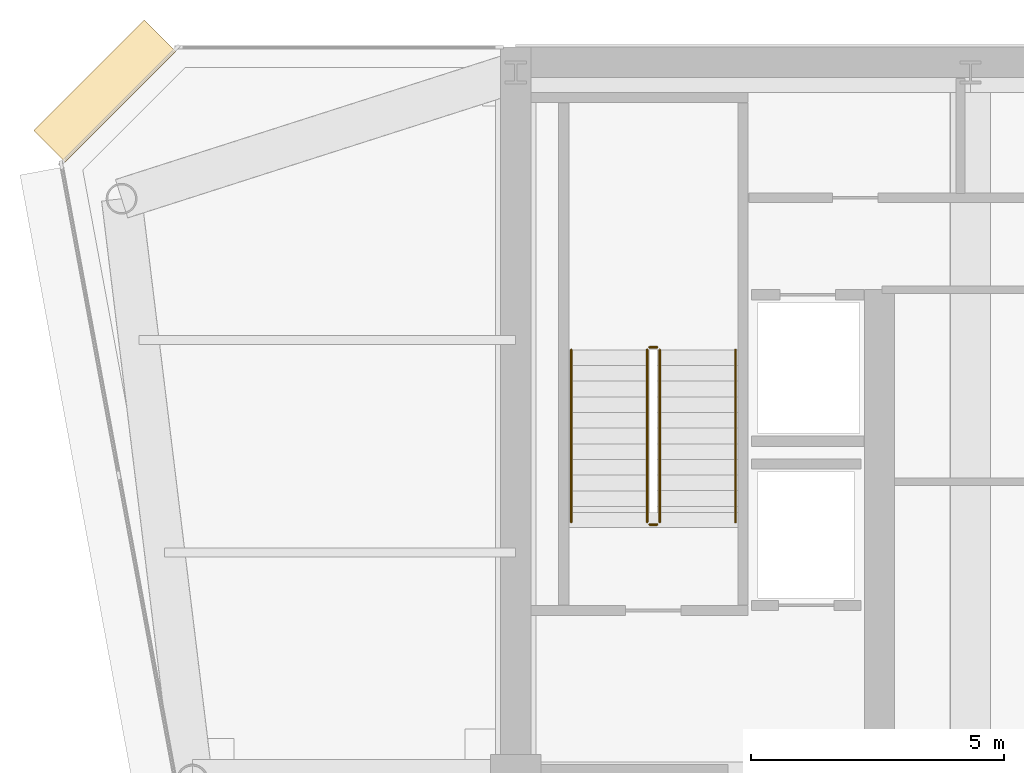
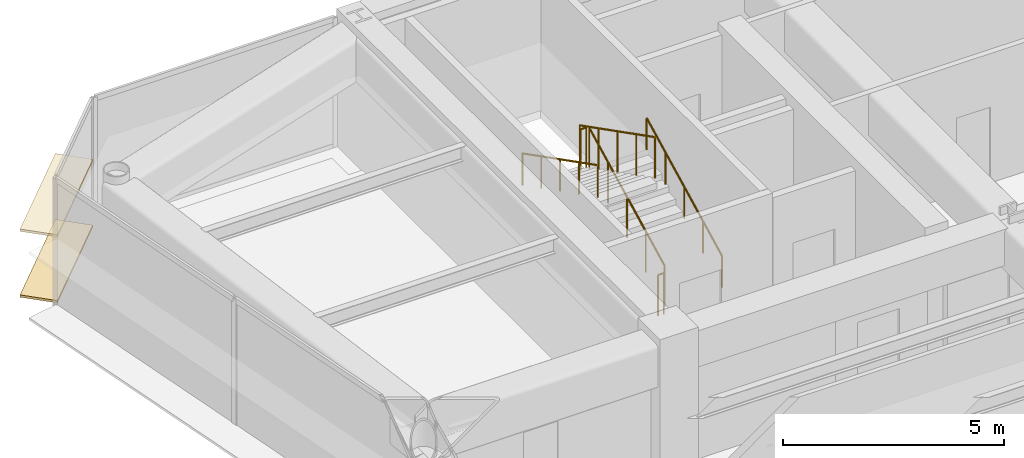
# One storey, part 15 of 17: 6 railings, 2 coverings.
"""IFC4 building model written with IfcOpenShell, lengths in metres."""

from ifc_helpers import new_model, si_unit, direction, frame, origin, origin_2d, place, context, subcontext, project, spatial, rectangle, circle, extrude, source, transform, mapped, material, layer, layer_set, type_object, element, save


model = new_model("IFC4")

# Units and contexts
model_context = context("Model", 3, precision=1e-05, world=origin(), true_north=direction((0.0, 1.0)))
body_context = subcontext(model_context, "Body", "Model", "MODEL_VIEW")
ifc_project = project(units=[si_unit("LENGTHUNIT", "METRE"), si_unit("AREAUNIT", "SQUARE_METRE"), si_unit("VOLUMEUNIT", "CUBIC_METRE"), si_unit("PLANEANGLEUNIT", "RADIAN"), si_unit("MASSUNIT", "GRAM", prefix="KILO")], contexts=[model_context])

# Site, building, storey
site_placement = place(None, origin())
site = spatial("IfcSite", under=ifc_project, at=site_placement, CompositionType="ELEMENT")
building_placement = place(site_placement, origin())
building = spatial("IfcBuilding", under=site, at=building_placement, Name="Vaeldorn Concourse Tower", CompositionType="ELEMENT")
storey_placement = place(building_placement, frame((0.0, 0.0, 234.60009765625)))
storey = spatial("IfcBuildingStorey", under=building, at=storey_placement, Name="L60", CompositionType="ELEMENT", Elevation=234.60009765625)

# Railings
ifc_material = material(Name="Anodised Bronze Aluminium", Category="aluminium")
railing_type_1 = type_object("IfcRailingType", Name="RL-STAIR-GUARD", PredefinedType="GUARDRAIL", material=ifc_material)
railing_1_placement = place(storey_placement, frame((16.85009765625, 41.60009765625, 0.158203125)))
element("IfcRailing", 1, at=railing_1_placement, inside=storey, type_object=railing_type_1, Name="L60 ST-1 stair guard 1", PredefinedType="GUARDRAIL", context=body_context, shape_type="SweptSolid", body=[
    extrude(circle(Radius=0.02392578125, at=origin_2d()), frame((0.0, 0.0, 1.1259765625), z_axis=(0.0, 0.890555807335, 0.454873997962), x_axis=(-1.0, 0.0, 0.0)), (0.0, 0.0, 1.0), 3.828857421875),
    extrude(circle(Radius=0.02099609375, at=origin_2d()), origin(), (0.0, 0.0, 1.0), 1.101806640625),
    extrude(circle(Radius=0.02099609375, at=origin_2d()), frame((0.0, 0.8525390625, 0.435546875)), (0.0, 0.0, 1.0), 1.101806640625),
    extrude(circle(Radius=0.02099609375, at=origin_2d()), frame((0.0, 1.705078125, 0.870849609375)), (0.0, 0.0, 1.0), 1.101806640625),
    extrude(circle(Radius=0.02099609375, at=origin_2d()), frame((0.0, 2.557373046875, 1.30615234375)), (0.0, 0.0, 1.0), 1.101806640625),
    extrude(circle(Radius=0.02099609375, at=origin_2d()), frame((0.0, 3.409912109375, 1.74169921875)), (0.0, 0.0, 1.0), 1.101806640625),
])
railing_2_placement = place(storey_placement, frame((16.800048828125, 45.06005859375, 1.89990234375)))
element("IfcRailing", 2, at=railing_2_placement, inside=storey, type_object=railing_type_1, Name="L60 ST-1 stair guard 2", PredefinedType="GUARDRAIL", context=body_context, shape_type="SweptSolid", body=[
    extrude(circle(Radius=0.02392578125, at=origin_2d()), frame((0.0, 0.0, 1.1259765625), z_axis=(-1.0, 0.0, 0.0), x_axis=(0.0, -1.0, 0.0)), (0.0, 0.0, 1.0), 0.150146484375),
    extrude(circle(Radius=0.02099609375, at=origin_2d()), origin(), (0.0, 0.0, 1.0), 1.101806640625),
    extrude(circle(Radius=0.02099609375, at=origin_2d()), frame((-0.150146484375, 0.0, 0.0)), (0.0, 0.0, 1.0), 1.101806640625),
])
railing_3_placement = place(storey_placement, frame((16.60009765625, 45.010009765625, 2.058349609375)))
element("IfcRailing", 3, at=railing_3_placement, inside=storey, type_object=railing_type_1, Name="L60 ST-1 stair guard 3", PredefinedType="GUARDRAIL", context=body_context, shape_type="SweptSolid", body=[
    extrude(circle(Radius=0.02392578125, at=origin_2d()), frame((0.0, 0.0, 1.1259765625), z_axis=(0.0, -0.890581635807, 0.454823427236), x_axis=(1.0, 0.0, 0.0)), (0.0, 0.0, 1.0), 3.828857421875),
    extrude(circle(Radius=0.02099609375, at=origin_2d()), origin(), (0.0, 0.0, 1.0), 1.101806640625),
    extrude(circle(Radius=0.02099609375, at=origin_2d()), frame((0.0, -0.8525390625, 0.435302734375)), (0.0, 0.0, 1.0), 1.101806640625),
    extrude(circle(Radius=0.02099609375, at=origin_2d()), frame((0.0, -1.705078125, 0.87060546875)), (0.0, 0.0, 1.0), 1.101806640625),
    extrude(circle(Radius=0.02099609375, at=origin_2d()), frame((0.0, -2.557373046875, 1.30615234375)), (0.0, 0.0, 1.0), 1.101806640625),
    extrude(circle(Radius=0.02099609375, at=origin_2d()), frame((0.0, -3.409912109375, 1.741455078125)), (0.0, 0.0, 1.0), 1.101806640625),
])
railing_4_placement = place(storey_placement, frame((16.800048828125, 41.550048828125, 0.0)))
element("IfcRailing", 4, at=railing_4_placement, inside=storey, type_object=railing_type_1, Name="L60 ST-1 stair guard 4", PredefinedType="GUARDRAIL", context=body_context, shape_type="SweptSolid", body=[
    extrude(circle(Radius=0.02392578125, at=origin_2d()), frame((0.0, 0.0, 1.1259765625), z_axis=(-1.0, 0.0, 0.0), x_axis=(0.0, -1.0, 0.0)), (0.0, 0.0, 1.0), 0.150146484375),
    extrude(circle(Radius=0.02099609375, at=origin_2d()), origin(), (0.0, 0.0, 1.0), 1.101806640625),
    extrude(circle(Radius=0.02099609375, at=origin_2d()), frame((-0.150146484375, 0.0, 0.0)), (0.0, 0.0, 1.0), 1.101806640625),
])
railing_type_2 = type_object("IfcRailingType", Name="RL-STAIR-HANDRAIL", PredefinedType="HANDRAIL", material=ifc_material)
railing_5_placement = place(storey_placement, frame((18.35009765625, 41.60009765625, 0.158203125)))
element("IfcRailing", 5, at=railing_5_placement, inside=storey, type_object=railing_type_2, Name="L60 ST-1 stair handrail 1", PredefinedType="HANDRAIL", context=body_context, shape_type="SweptSolid", body=[
    extrude(circle(Radius=0.02392578125, at=origin_2d()), frame((0.0, 0.0, 0.8759765625), z_axis=(0.0, 0.890555807335, 0.454873997962), x_axis=(-1.0, 0.0, 0.0)), (0.0, 0.0, 1.0), 3.828857421875),
    extrude(circle(Radius=0.02099609375, at=origin_2d()), origin(), (0.0, 0.0, 1.0), 0.851806640625),
    extrude(circle(Radius=0.02099609375, at=origin_2d()), frame((0.0, 0.8525390625, 0.435546875)), (0.0, 0.0, 1.0), 0.851806640625),
    extrude(circle(Radius=0.02099609375, at=origin_2d()), frame((0.0, 1.705078125, 0.870849609375)), (0.0, 0.0, 1.0), 0.851806640625),
    extrude(circle(Radius=0.02099609375, at=origin_2d()), frame((0.0, 2.557373046875, 1.30615234375)), (0.0, 0.0, 1.0), 0.851806640625),
    extrude(circle(Radius=0.02099609375, at=origin_2d()), frame((0.0, 3.409912109375, 1.74169921875)), (0.0, 0.0, 1.0), 0.851806640625),
])
railing_6_placement = place(storey_placement, frame((15.10009765625, 45.010009765625, 2.058349609375)))
element("IfcRailing", 6, at=railing_6_placement, inside=storey, type_object=railing_type_2, Name="L60 ST-1 stair handrail 2", PredefinedType="HANDRAIL", context=body_context, shape_type="SweptSolid", body=[
    extrude(circle(Radius=0.02392578125, at=origin_2d()), frame((0.0, 0.0, 0.8759765625), z_axis=(0.0, -0.890581635807, 0.454823427236), x_axis=(1.0, 0.0, 0.0)), (0.0, 0.0, 1.0), 3.828857421875),
    extrude(circle(Radius=0.02099609375, at=origin_2d()), origin(), (0.0, 0.0, 1.0), 0.851806640625),
    extrude(circle(Radius=0.02099609375, at=origin_2d()), frame((0.0, -0.8525390625, 0.435302734375)), (0.0, 0.0, 1.0), 0.851806640625),
    extrude(circle(Radius=0.02099609375, at=origin_2d()), frame((0.0, -1.705078125, 0.87060546875)), (0.0, 0.0, 1.0), 0.851806640625),
    extrude(circle(Radius=0.02099609375, at=origin_2d()), frame((0.0, -2.557373046875, 1.30615234375)), (0.0, 0.0, 1.0), 0.851806640625),
    extrude(circle(Radius=0.02099609375, at=origin_2d()), frame((0.0, -3.409912109375, 1.741455078125)), (0.0, 0.0, 1.0), 0.851806640625),
])

# Coverings
ifc_layer = layer(ifc_material, 0.06494140625)
ifc_layer_set = layer_set([ifc_layer], Name="Anodised Bronze Aluminium")
covering_type = type_object("IfcCoveringType", Name="SD-BRONZE-SUNSHADE", PredefinedType="USERDEFINED", material=ifc_layer_set)
shared_shape = source(origin(), body_context, "Body", "SweptSolid", [
    extrude(rectangle(XDim=3.0927734375, YDim=0.8798828125, at=origin_2d()), origin(), (0.0, 0.0, 1.0), 0.06494140625),
])
for number, where, z_axis, x_axis, name in (
    (7, (5.8671875, 50.1328125, 0.04736328125), (0.0, 0.0, 1.0), (-0.707106781187, -0.707106781187, 0.0), "Horizontal Bronze Sunshade L60-E10.1.1"),
    (8, (5.8671875, 50.1328125, 1.867431640625), (0.0, 0.0, 1.0), (-0.707106781187, -0.707106781187, 0.0), "Horizontal Bronze Sunshade L60-E10.1.2"),
):
    element("IfcCovering", number, at=place(storey_placement, frame(where, z_axis=z_axis, x_axis=x_axis)), inside=storey, type_object=covering_type, Name=name, ObjectType="SUNSHADE", PredefinedType="USERDEFINED", context=body_context, shape_type="MappedRepresentation", body=[
        mapped(shared_shape, transform((0.0, 0.0, 0.0), scale=1.0)),
    ])

save(model, "model.ifc")
